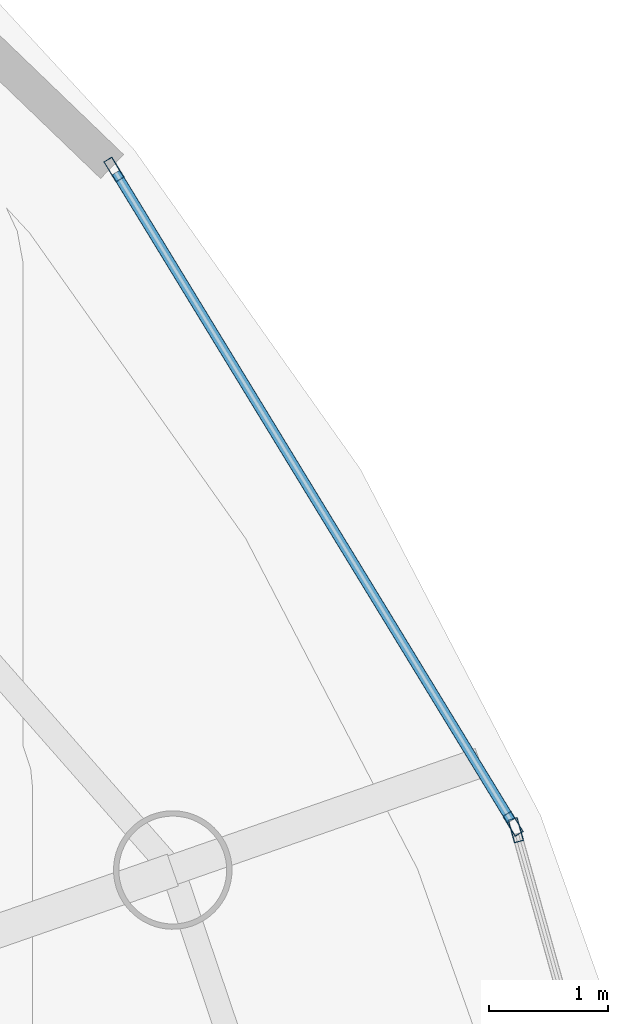
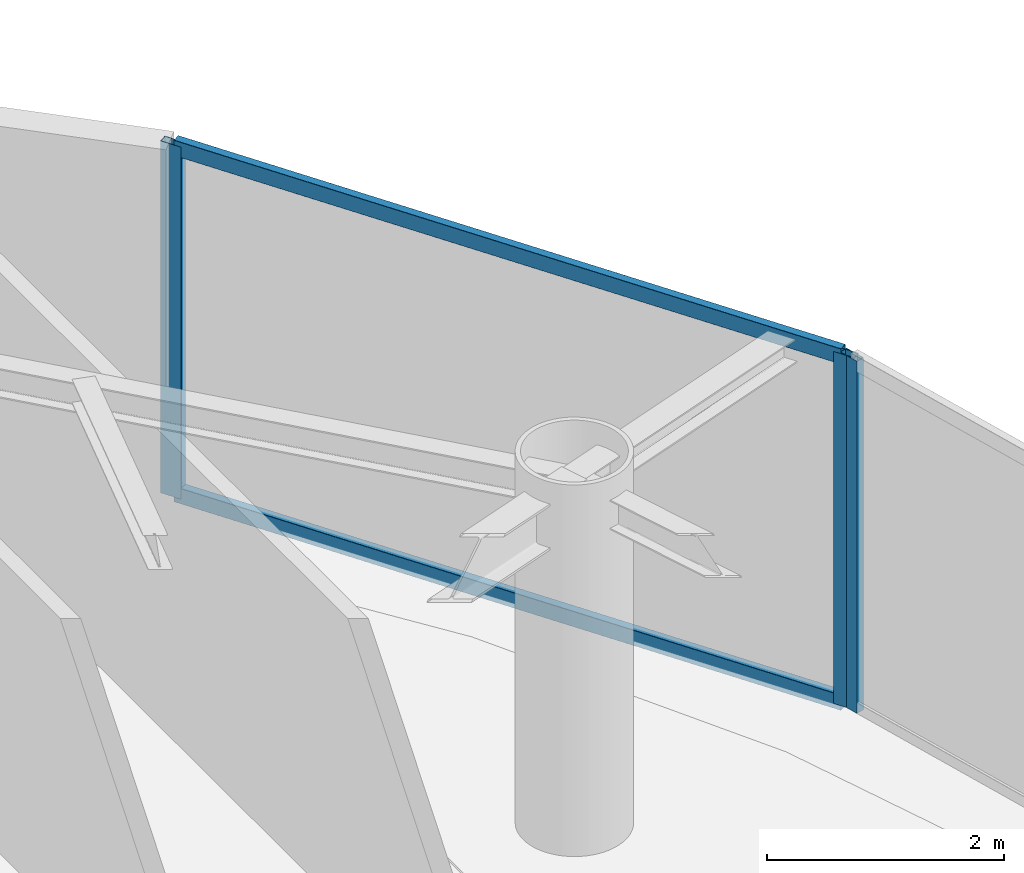
# One storey, part 13 of 19: 5 members, 2 elements without a shape of their own.
"""IFC4 building model written with IfcOpenShell, lengths in metres."""

from ifc_helpers import new_model, si_unit, direction, frame, origin, origin_2d, place, context, subcontext, project, spatial, hollow_rectangle, extrude, material, layer, layer_set, material_profile, profile_set, type_object, element, aggregate, save


model = new_model("IFC4")

# Units and contexts
model_context = context("Model", 3, precision=1e-05, world=origin(), true_north=direction((0.0, 1.0)))
body_context = subcontext(model_context, "Body", "Model", "MODEL_VIEW")
ifc_project = project(units=[si_unit("LENGTHUNIT", "METRE"), si_unit("AREAUNIT", "SQUARE_METRE"), si_unit("VOLUMEUNIT", "CUBIC_METRE"), si_unit("PLANEANGLEUNIT", "RADIAN"), si_unit("MASSUNIT", "GRAM", prefix="KILO")], contexts=[model_context])

# Site, building, storey
site_placement = place(None, origin())
site = spatial("IfcSite", under=ifc_project, at=site_placement, CompositionType="ELEMENT")
building_placement = place(site_placement, origin())
building = spatial("IfcBuilding", under=site, at=building_placement, Name="Bramvorn Convention Spire", CompositionType="ELEMENT")
storey_placement = place(building_placement, frame((0.0, 0.0, 299.800048828125)))
storey = spatial("IfcBuildingStorey", under=building, at=storey_placement, Name="L76", CompositionType="ELEMENT", Elevation=299.800048828125)

# Curtain wall, member
ifc_material_1 = material(Name="Anodised Bronze Unitised Curtain Wall", Category="aluminium")
ifc_layer = layer(ifc_material_1, 0.179931640625)
ifc_layer_set = layer_set([ifc_layer], Name="Anodised Bronze Unitised Curtain Wall - CW-OFF-FRIT")
curtain_wall_type = type_object("IfcCurtainWallType", Name="CW-OFF-FRIT", PredefinedType="USERDEFINED", material=ifc_layer_set)
curtain_wall_1_placement = place(storey_placement, origin())
curtain_wall_1 = element("IfcCurtainWall", 1, at=curtain_wall_1_placement, inside=storey, type_object=curtain_wall_type, Name="L76 fritted glass curtain wall 06", ObjectType="UNITISED CURTAIN WALL", PredefinedType="USERDEFINED")
ifc_material_2 = material(Name="Anodised Bronze Aluminium 6063-T6", Category="aluminium")
ifc_material_profile_1 = material_profile(ifc_material_2, hollow_rectangle(XDim=0.080078125, YDim=0.199951171875, WallThickness=0.00390625, InnerFilletRadius=0.0009765625, OuterFilletRadius=0.00390625, at=origin_2d()))
ifc_profile_set_1 = profile_set([ifc_material_profile_1], Name="Anodised Bronze Aluminium 6063-T6 - CWM80X200")
member_type_1 = type_object("IfcMemberType", Name="CW-MUL-180", PredefinedType="MULLION", material=ifc_profile_set_1)
member_1_placement = place(storey_placement, frame((56.327880859375, 35.245361328125, 0.0), z_axis=(0.0, 0.0, 1.0), x_axis=(0.963073416236, 0.269238917952, 0.0)))
member_1 = element("IfcMember", 2, at=member_1_placement, type_object=member_type_1, Name="CW3 mullion 1", PredefinedType="MULLION", context=body_context, shape_type="SweptSolid", body=[
    extrude(hollow_rectangle(XDim=0.080078125, YDim=0.199951171875, WallThickness=0.00390625, InnerFilletRadius=0.0009765625, OuterFilletRadius=0.00390625, at=origin_2d()), origin(), (0.0, 0.0, 1.0), 3.625),
])
aggregate(curtain_wall_1, [member_1])

# Curtain wall, members
curtain_wall_2_placement = place(storey_placement, origin())
curtain_wall_2 = element("IfcCurtainWall", 3, at=curtain_wall_2_placement, inside=storey, type_object=curtain_wall_type, Name="L76 fritted glass curtain wall 07", ObjectType="UNITISED CURTAIN WALL", PredefinedType="USERDEFINED")
member_2_placement = place(storey_placement, frame((52.9365234375, 40.82080078125, 0.0), z_axis=(0.0, 0.0, 1.0), x_axis=(0.8537200929, 0.520732179704, 0.0)))
member_2 = element("IfcMember", 4, at=member_2_placement, type_object=member_type_1, Name="CW3 mullion 1", PredefinedType="MULLION", context=body_context, shape_type="SweptSolid", body=[
    extrude(hollow_rectangle(XDim=0.080078125, YDim=0.199951171875, WallThickness=0.00390625, InnerFilletRadius=0.0009765625, OuterFilletRadius=0.00390625, at=origin_2d()), origin(), (0.0, 0.0, 1.0), 3.625),
])
member_3_placement = place(storey_placement, frame((56.30419921875, 35.2998046875, 0.0), z_axis=(0.0, 0.0, 1.0), x_axis=(0.8537200929, 0.520732179704, 0.0)))
member_3 = element("IfcMember", 5, at=member_3_placement, type_object=member_type_1, Name="CW3 mullion 2", PredefinedType="MULLION", context=body_context, shape_type="SweptSolid", body=[
    extrude(hollow_rectangle(XDim=0.080078125, YDim=0.199951171875, WallThickness=0.00390625, InnerFilletRadius=0.0009765625, OuterFilletRadius=0.00390625, at=origin_2d()), origin(), (0.0, 0.0, 1.0), 3.625),
])
ifc_material_profile_2 = material_profile(ifc_material_2, hollow_rectangle(XDim=0.080078125, YDim=0.159912109375, WallThickness=0.00390625, InnerFilletRadius=0.0009765625, OuterFilletRadius=0.00390625, at=origin_2d()))
ifc_profile_set_2 = profile_set([ifc_material_profile_2], Name="Anodised Bronze Aluminium 6063-T6 - CWT80X160")
member_type_2 = type_object("IfcMemberType", Name="CW-TRN-150", PredefinedType="USERDEFINED", material=ifc_profile_set_2)
member_4_placement = place(storey_placement, frame((52.9521484375, 40.795166015625, 0.030029296875), z_axis=(0.520746982502, -0.85371106366, 0.0), x_axis=(0.85371106366, 0.520746982502, 0.0)))
member_4 = element("IfcMember", 6, at=member_4_placement, type_object=member_type_2, Name="CW3 transom 1.1", ObjectType="TRANSOM", PredefinedType="USERDEFINED", context=body_context, shape_type="SweptSolid", body=[
    extrude(hollow_rectangle(XDim=0.080078125, YDim=0.159912109375, WallThickness=0.00390625, InnerFilletRadius=0.0009765625, OuterFilletRadius=0.00390625, at=origin_2d()), origin(), (0.0, 0.0, 1.0), 6.406982421875),
])
member_5_placement = place(storey_placement, frame((52.9521484375, 40.795166015625, 3.594970703125), z_axis=(0.520746982502, -0.85371106366, 0.0), x_axis=(0.85371106366, 0.520746982502, 0.0)))
member_5 = element("IfcMember", 7, at=member_5_placement, type_object=member_type_2, Name="CW3 transom 1.2", ObjectType="TRANSOM", PredefinedType="USERDEFINED", context=body_context, shape_type="SweptSolid", body=[
    extrude(hollow_rectangle(XDim=0.080078125, YDim=0.159912109375, WallThickness=0.00390625, InnerFilletRadius=0.0009765625, OuterFilletRadius=0.00390625, at=origin_2d()), origin(), (0.0, 0.0, 1.0), 6.406982421875),
])
aggregate(curtain_wall_2, [member_2, member_3, member_4, member_5])

save(model, "model.ifc")
